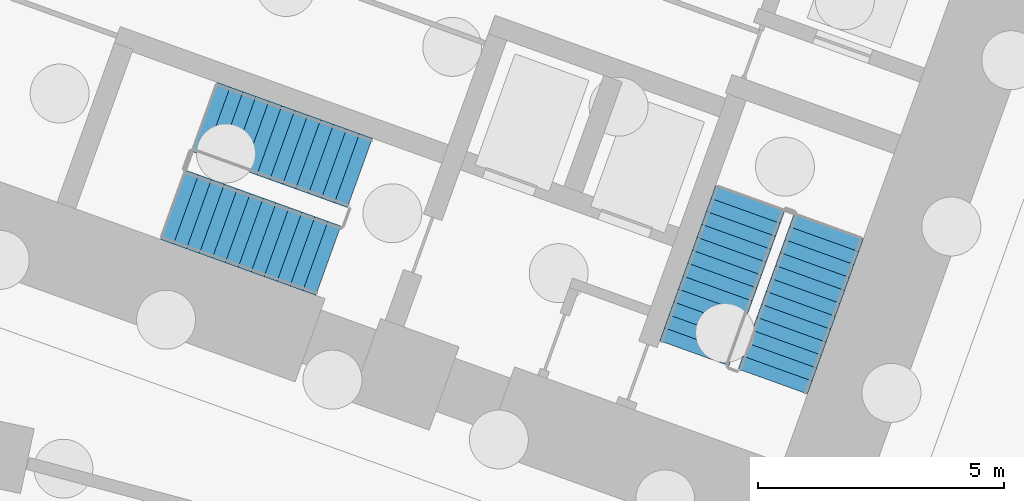
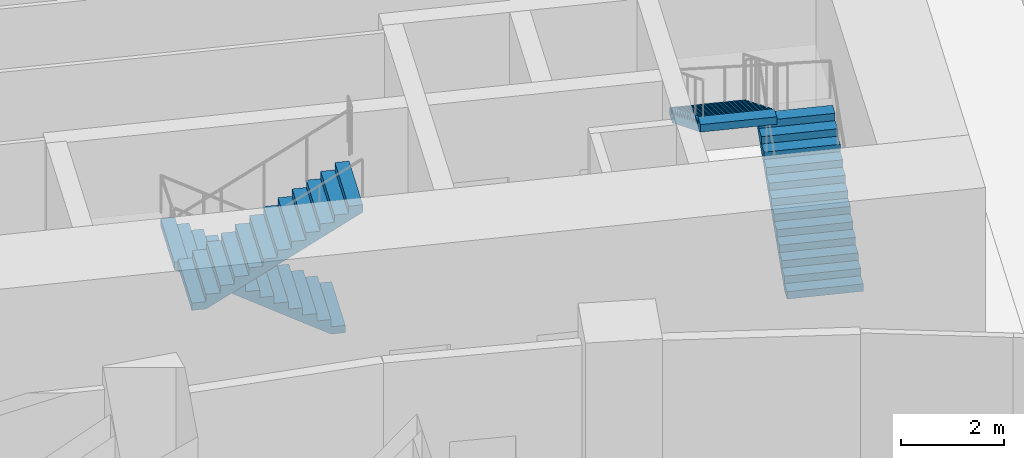
# One storey, part 16 of 25: 4 stair flights, 2 elements without a shape of their own.
"""IFC4 building model written with IfcOpenShell, lengths in metres."""

import ifcopenshell
import ifcopenshell.guid

model = None  # the IFC model being written
_history = None  # IfcOwnerHistory: only IFC2X3 demands one
_inside = {}  # id of a spatial element -> (the spatial element, [elements in it])
_under = {}  # id of a project, library or spatial element -> (it, [spatial elements below it])
_declared = {}  # id of a project -> (the project, [libraries it declares])
_typed = {}  # id of a type object -> (the type object, [elements of that type])
_made_of = {}  # id of a material, layer set ... -> (it, [elements and type objects made of it])


def new_model(schema):
    """Start an empty IFC model of exactly this schema.

    Asked for "IFC4X3", IfcOpenShell would pick the latest addendum, in which some entities
    have other attributes; the version numbers below select the first issue.
    IFC2X3 requires an IfcOwnerHistory on every rooted entity: one is made here for all.
    """
    global model, _history
    if schema == "IFC4X3":
        model = ifcopenshell.file(schema_version=(4, 3, 0, 0))
    else:
        model = ifcopenshell.file(schema=schema)
    _inside.clear()
    _under.clear()
    _declared.clear()
    _typed.clear()
    _made_of.clear()
    _history = None
    if model.schema == "IFC2X3":
        org = make("IfcOrganization", Name="unknown")
        user = make(
            "IfcPersonAndOrganization",
            ThePerson=make("IfcPerson", FamilyName="unknown"),
            TheOrganization=org,
        )
        app = make(
            "IfcApplication",
            ApplicationDeveloper=org,
            Version="unknown",
            ApplicationFullName="unknown",
            ApplicationIdentifier="unknown",
        )
        _history = make(
            "IfcOwnerHistory",
            OwningUser=user,
            OwningApplication=app,
            ChangeAction="ADDED",
            CreationDate=0,
        )
    return model


def make(cls, **values):
    """One entity of the class cls with the attributes given. An attribute that is None is left unset."""
    return model.create_entity(
        cls, **{name: value for name, value in values.items() if value is not None}
    )


def rooted(cls, **values):
    """An entity with a GlobalId (a new one), such as an element, a storey or a relation."""
    return make(cls, GlobalId=ifcopenshell.guid.new(), OwnerHistory=_history, **values)


def si_unit(unit_type, name, prefix=None):
    """IfcSIUnit, for example si_unit("LENGTHUNIT", "METRE", prefix="MILLI")."""
    return make("IfcSIUnit", UnitType=unit_type, Prefix=prefix, Name=name)


def assignment(units):
    """IfcUnitAssignment: the units of a project."""
    return None if units is None else make("IfcUnitAssignment", Units=units)


def point(xyz):
    """IfcCartesianPoint."""
    return None if xyz is None else make("IfcCartesianPoint", Coordinates=xyz)


def direction(xyz):
    """IfcDirection."""
    return None if xyz is None else make("IfcDirection", DirectionRatios=xyz)


def frame(location, z_axis=None, x_axis=None):
    """IfcAxis2Placement3D, a coordinate frame: its origin and axes. An axis left out is left unset."""
    return make(
        "IfcAxis2Placement3D",
        Location=point(location),
        Axis=direction(z_axis),
        RefDirection=direction(x_axis),
    )


def origin():
    """The frame at (0, 0, 0) with its axes left unset."""
    return frame((0.0, 0.0, 0.0))


def place(relative_to, where):
    """IfcLocalPlacement: puts the frame where relative to a parent placement (None: the world)."""
    return make(
        "IfcLocalPlacement", PlacementRelTo=relative_to, RelativePlacement=where
    )


def context(
    kind, dimensions, precision=None, world=None, true_north=None, identifier=None
):
    """IfcGeometricRepresentationContext, for example the 3D "Model" context."""
    return make(
        "IfcGeometricRepresentationContext",
        ContextIdentifier=identifier,
        ContextType=kind,
        CoordinateSpaceDimension=dimensions,
        Precision=precision,
        WorldCoordinateSystem=world,
        TrueNorth=true_north,
    )


def subcontext(parent, identifier, kind, view, scale=None):
    """IfcGeometricRepresentationSubContext, for example "Body" below "Model"."""
    return make(
        "IfcGeometricRepresentationSubContext",
        ContextIdentifier=identifier,
        ContextType=kind,
        ParentContext=parent,
        TargetScale=scale,
        TargetView=view,
    )


def project(units=None, contexts=None):
    """IfcProject with its units and contexts."""
    return rooted(
        "IfcProject",
        Name="project",
        RepresentationContexts=contexts,
        UnitsInContext=assignment(units),
    )


def spatial(cls, under=None, at=None, **own):
    """A site, building, storey or space (cls), placed at a placement, below another one or the project."""
    s = rooted(cls, ObjectPlacement=at, **own)
    if under is not None:
        _under.setdefault(under.id(), (under, []))[1].append(s)
    return s


def polyline(points):
    """IfcPolyline through the points."""
    return make("IfcPolyline", Points=[point(p) for p in points])


def outline(outer, holes=None, kind="AREA"):
    """IfcArbitraryClosedProfileDef: a profile drawn as a closed curve; with holes, ...WithVoids."""
    if holes is None:
        return make("IfcArbitraryClosedProfileDef", ProfileType=kind, OuterCurve=outer)
    return make(
        "IfcArbitraryProfileDefWithVoids",
        ProfileType=kind,
        OuterCurve=outer,
        InnerCurves=holes,
    )


def extrude(swept, where, along, depth):
    """IfcExtrudedAreaSolid: the profile swept, set in the frame where, extruded along a direction by depth."""
    return make(
        "IfcExtrudedAreaSolid",
        SweptArea=swept,
        Position=where,
        ExtrudedDirection=direction(along),
        Depth=depth,
    )


def shape(context_of_items, identifier, shape_type, items):
    """IfcShapeRepresentation: the items that make up one representation, for example the "Body"."""
    return make(
        "IfcShapeRepresentation",
        ContextOfItems=context_of_items,
        RepresentationIdentifier=identifier,
        RepresentationType=shape_type,
        Items=items,
    )


def material(Name=None, Category=None):
    """IfcMaterial."""
    return make("IfcMaterial", Name=Name, Category=Category)


def made_of(thing, what):
    """Note that an element or type object is made of a material, layer set ...; save() writes the relation."""
    if what is not None:
        _made_of.setdefault(what.id(), (what, []))[1].append(thing)
    return thing


def type_object(cls, material=None, **own):
    """A type object (cls), such as IfcWallType, which elements share."""
    return made_of(rooted(cls, **own), material)


def element(
    cls,
    number,
    at=None,
    inside=None,
    cuts=None,
    type_object=None,
    material=None,
    context=None,
    identifier="Body",
    shape_type=None,
    held_by="IfcProductDefinitionShape",
    body=None,
    shapes=None,
    **own,
):
    """One element of the class cls, such as IfcWall. Its Tag is "e" and its number.

    at: its placement. inside: the storey or other place that contains it. cuts: it is an
    opening in that element (IfcRelVoidsElement). A single representation is given by context,
    identifier, shape_type and body (its items); several are given by shapes. held_by: the class
    of the entity that holds the representations. save() writes the other relations.
    """
    e = rooted(cls, Tag="e%d" % number, ObjectPlacement=at, **own)
    if body is not None:
        shapes = [shape(context, identifier, shape_type, body)]
    if shapes is not None:
        e.Representation = make(held_by, Representations=shapes)
    if inside is not None:
        _inside.setdefault(inside.id(), (inside, []))[1].append(e)
    if cuts is not None:
        rooted(
            "IfcRelVoidsElement", RelatingBuildingElement=cuts, RelatedOpeningElement=e
        )
    if type_object is not None:
        _typed.setdefault(type_object.id(), (type_object, []))[1].append(e)
    return made_of(e, material)


def aggregate(whole, parts):
    """IfcRelAggregates: a whole, such as a stair, and the parts it consists of."""
    return rooted("IfcRelAggregates", RelatingObject=whole, RelatedObjects=parts)


def save(model, path):
    """Write the relations noted so far, then the file.

    IfcRelAggregates (storeys below a building ...), IfcRelContainedInSpatialStructure (elements
    in a storey), IfcRelDefinesByType, IfcRelAssociatesMaterial and IfcRelDeclares: one each for
    every whole, place, type object, material and project.
    """
    for whole, parts in _under.values():
        aggregate(whole, parts)
    for where, things in _inside.values():
        rooted(
            "IfcRelContainedInSpatialStructure",
            RelatedElements=things,
            RelatingStructure=where,
        )
    for kind, things in _typed.values():
        rooted("IfcRelDefinesByType", RelatedObjects=things, RelatingType=kind)
    for what, things in _made_of.values():
        rooted("IfcRelAssociatesMaterial", RelatedObjects=things, RelatingMaterial=what)
    for by, libraries in _declared.values():
        rooted("IfcRelDeclares", RelatingContext=by, RelatedDefinitions=libraries)
    model.write(path)


model = new_model("IFC4")

# Units and contexts
model_context = context("Model", 3, precision=1e-05, world=origin(), true_north=direction((0.0, 1.0)))
body_context = subcontext(model_context, "Body", "Model", "MODEL_VIEW")
ifc_project = project(units=[si_unit("LENGTHUNIT", "METRE"), si_unit("AREAUNIT", "SQUARE_METRE"), si_unit("VOLUMEUNIT", "CUBIC_METRE"), si_unit("PLANEANGLEUNIT", "RADIAN"), si_unit("MASSUNIT", "GRAM", prefix="KILO")], contexts=[model_context])

# Site, building, storey
site_placement = place(None, origin())
site = spatial("IfcSite", under=ifc_project, at=site_placement, CompositionType="ELEMENT")
building_placement = place(site_placement, origin())
building = spatial("IfcBuilding", under=site, at=building_placement, Name="Stone Belt Terrace Tower", CompositionType="ELEMENT")
storey_placement = place(building_placement, frame((0.0, 0.0, -13.5)))
storey = spatial("IfcBuildingStorey", under=building, at=storey_placement, Name="B3", CompositionType="ELEMENT", Elevation=-13.5)

# Stair, stair flights
ifc_material = material(Name="Concrete B40", Category="concrete")
stair_type = type_object("IfcStairType", Name="Exit stair 1500", PredefinedType="HALF_TURN_STAIR", material=ifc_material)
stair_1_placement = place(storey_placement, origin())
stair_1 = element("IfcStair", 1, at=stair_1_placement, inside=storey, type_object=stair_type, Name="B3 Exit stair 1 core B", PredefinedType="HALF_TURN_STAIR")
stair_flight_type = type_object("IfcStairFlightType", Name="Stair flight 1500", PredefinedType="STRAIGHT", material=ifc_material)
stair_flight_1_placement = place(storey_placement, frame((25.15283203125, 44.9375, 0.0), z_axis=(0.0, 0.0, 1.0), x_axis=(0.338624396177, 0.940921632398, 0.0)))
stair_flight_1 = element("IfcStairFlight", 2, at=stair_flight_1_placement, type_object=stair_flight_type, Name="ST1B flight 1", NumberOfRisers=13, NumberOfTreads=12, PredefinedType="STRAIGHT", RiserHeight=0.173076923, TreadLength=0.28, context=body_context, shape_type="SweptSolid", body=[
    extrude(outline(polyline([(0.0, 0.0), (0.0, 0.173095703125), (0.280029296875, 0.173095703125), (0.280029296875, 0.34619140625), (0.56005859375, 0.34619140625), (0.56005859375, 0.519287109375), (0.840087890625, 0.519287109375), (0.840087890625, 0.6923828125), (1.1201171875, 0.6923828125), (1.1201171875, 0.865478515625), (1.39990234375, 0.865478515625), (1.39990234375, 1.03857421875), (1.679931640625, 1.03857421875), (1.679931640625, 1.21142578125), (1.9599609375, 1.21142578125), (1.9599609375, 1.384521484375), (2.239990234375, 1.384521484375), (2.239990234375, 1.5576171875), (2.52001953125, 1.5576171875), (2.52001953125, 1.730712890625), (2.800048828125, 1.730712890625), (2.800048828125, 1.90380859375), (3.080078125, 1.90380859375), (3.080078125, 2.076904296875), (3.360107421875, 2.076904296875), (3.360107421875, 2.25), (3.360107421875, 1.900634765625), (0.28515625, 0.0), (0.0, 0.0)])), frame((0.0, 0.75, 0.0), z_axis=(0.0, -1.0, 0.0), x_axis=(1.0, 0.0, 0.0)), (0.0, 0.0, 1.0), 1.5),
])
stair_flight_2_placement = place(storey_placement, frame((24.691162109375, 48.674560546875, 2.25), z_axis=(0.0, 0.0, 1.0), x_axis=(-0.338624396177, -0.940921632398, 0.0)))
stair_flight_2 = element("IfcStairFlight", 3, at=stair_flight_2_placement, type_object=stair_flight_type, Name="ST1B flight 2", NumberOfRisers=13, NumberOfTreads=12, PredefinedType="STRAIGHT", RiserHeight=0.173076923, TreadLength=0.28, context=body_context, shape_type="SweptSolid", body=[
    extrude(outline(polyline([(0.0, 0.0), (0.0, 0.173095703125), (0.280029296875, 0.173095703125), (0.280029296875, 0.34619140625), (0.56005859375, 0.34619140625), (0.56005859375, 0.519287109375), (0.840087890625, 0.519287109375), (0.840087890625, 0.6923828125), (1.1201171875, 0.6923828125), (1.1201171875, 0.865478515625), (1.39990234375, 0.865478515625), (1.39990234375, 1.03857421875), (1.679931640625, 1.03857421875), (1.679931640625, 1.21142578125), (1.9599609375, 1.21142578125), (1.9599609375, 1.384521484375), (2.239990234375, 1.384521484375), (2.239990234375, 1.5576171875), (2.52001953125, 1.5576171875), (2.52001953125, 1.730712890625), (2.800048828125, 1.730712890625), (2.800048828125, 1.90380859375), (3.080078125, 1.90380859375), (3.080078125, 2.076904296875), (3.360107421875, 2.076904296875), (3.360107421875, 2.25), (3.360107421875, 1.900634765625), (0.28515625, 0.0), (0.0, 0.0)])), frame((0.0, 0.75, 0.0), z_axis=(0.0, -1.0, 0.0), x_axis=(1.0, 0.0, 0.0)), (0.0, 0.0, 1.0), 1.5),
])
aggregate(stair_1, [stair_flight_1, stair_flight_2])

stair_2_placement = place(storey_placement, origin())
stair_2 = element("IfcStair", 4, at=stair_2_placement, inside=storey, type_object=stair_type, Name="B3 Exit stair 2 core B", PredefinedType="HALF_TURN_STAIR")
stair_flight_3_placement = place(storey_placement, frame((16.74462890625, 49.185546875, 0.0), z_axis=(0.0, 0.0, 1.0), x_axis=(-0.940921632398, 0.338624396177, 0.0)))
stair_flight_3 = element("IfcStairFlight", 5, at=stair_flight_3_placement, type_object=stair_flight_type, Name="ST2B flight 1", NumberOfRisers=13, NumberOfTreads=12, PredefinedType="STRAIGHT", RiserHeight=0.173076923, TreadLength=0.28, context=body_context, shape_type="SweptSolid", body=[
    extrude(outline(polyline([(0.0, 0.0), (0.0, 0.173095703125), (0.280029296875, 0.173095703125), (0.280029296875, 0.34619140625), (0.56005859375, 0.34619140625), (0.56005859375, 0.519287109375), (0.840087890625, 0.519287109375), (0.840087890625, 0.6923828125), (1.1201171875, 0.6923828125), (1.1201171875, 0.865478515625), (1.39990234375, 0.865478515625), (1.39990234375, 1.03857421875), (1.679931640625, 1.03857421875), (1.679931640625, 1.21142578125), (1.9599609375, 1.21142578125), (1.9599609375, 1.384521484375), (2.239990234375, 1.384521484375), (2.239990234375, 1.5576171875), (2.52001953125, 1.5576171875), (2.52001953125, 1.730712890625), (2.800048828125, 1.730712890625), (2.800048828125, 1.90380859375), (3.080078125, 1.90380859375), (3.080078125, 2.076904296875), (3.360107421875, 2.076904296875), (3.360107421875, 2.25), (3.360107421875, 1.900634765625), (0.28515625, 0.0), (0.0, 0.0)])), frame((0.0, 0.75, 0.0), z_axis=(0.0, -1.0, 0.0), x_axis=(1.0, 0.0, 0.0)), (0.0, 0.0, 1.0), 1.5),
])
stair_flight_4_placement = place(storey_placement, frame((12.93994140625, 48.53564453125, 2.25), z_axis=(0.0, 0.0, 1.0), x_axis=(0.940921632398, -0.338624396177, 0.0)))
stair_flight_4 = element("IfcStairFlight", 6, at=stair_flight_4_placement, type_object=stair_flight_type, Name="ST2B flight 2", NumberOfRisers=13, NumberOfTreads=12, PredefinedType="STRAIGHT", RiserHeight=0.173076923, TreadLength=0.28, context=body_context, shape_type="SweptSolid", body=[
    extrude(outline(polyline([(0.0, 0.0), (0.0, 0.173095703125), (0.280029296875, 0.173095703125), (0.280029296875, 0.34619140625), (0.56005859375, 0.34619140625), (0.56005859375, 0.519287109375), (0.840087890625, 0.519287109375), (0.840087890625, 0.6923828125), (1.1201171875, 0.6923828125), (1.1201171875, 0.865478515625), (1.39990234375, 0.865478515625), (1.39990234375, 1.03857421875), (1.679931640625, 1.03857421875), (1.679931640625, 1.21142578125), (1.9599609375, 1.21142578125), (1.9599609375, 1.384521484375), (2.239990234375, 1.384521484375), (2.239990234375, 1.5576171875), (2.52001953125, 1.5576171875), (2.52001953125, 1.730712890625), (2.800048828125, 1.730712890625), (2.800048828125, 1.90380859375), (3.080078125, 1.90380859375), (3.080078125, 2.076904296875), (3.360107421875, 2.076904296875), (3.360107421875, 2.25), (3.360107421875, 1.900634765625), (0.28515625, 0.0), (0.0, 0.0)])), frame((0.0, 0.75, 0.0), z_axis=(0.0, -1.0, 0.0), x_axis=(1.0, 0.0, 0.0)), (0.0, 0.0, 1.0), 1.5),
])
aggregate(stair_2, [stair_flight_3, stair_flight_4])

save(model, "model.ifc")
